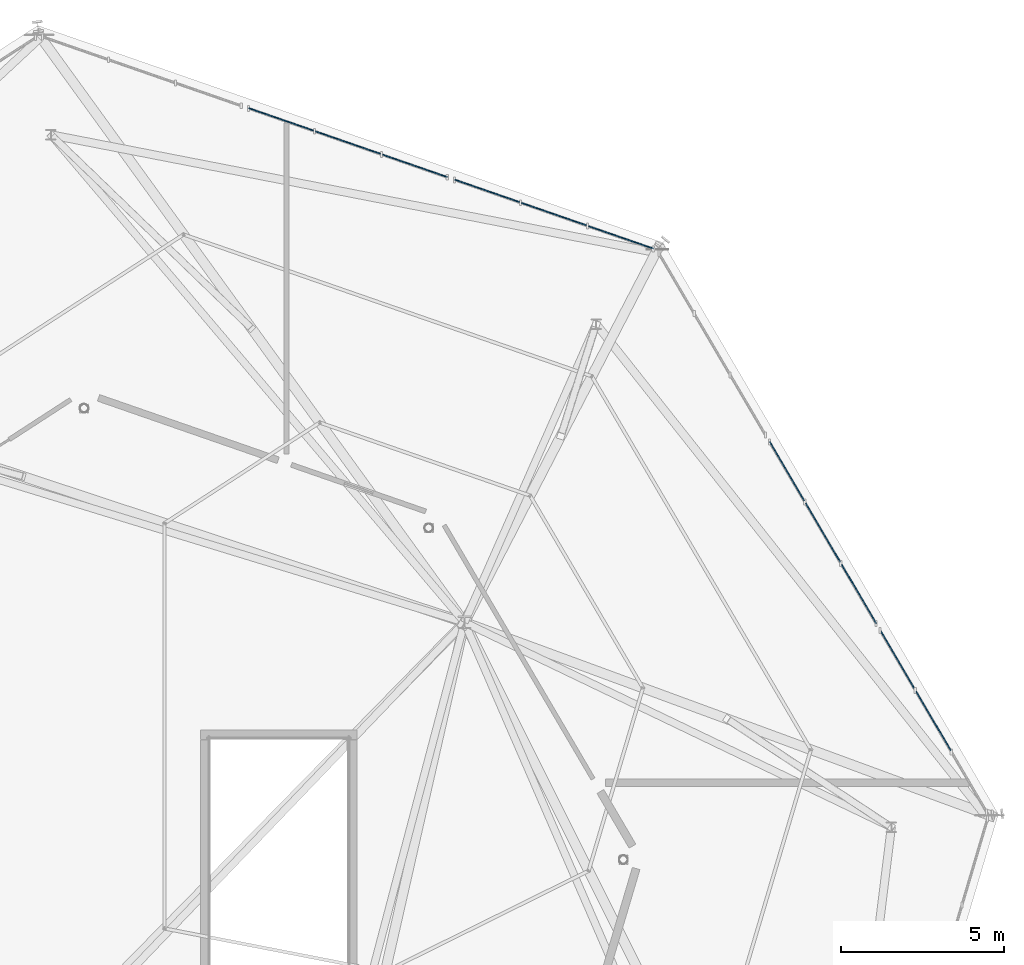
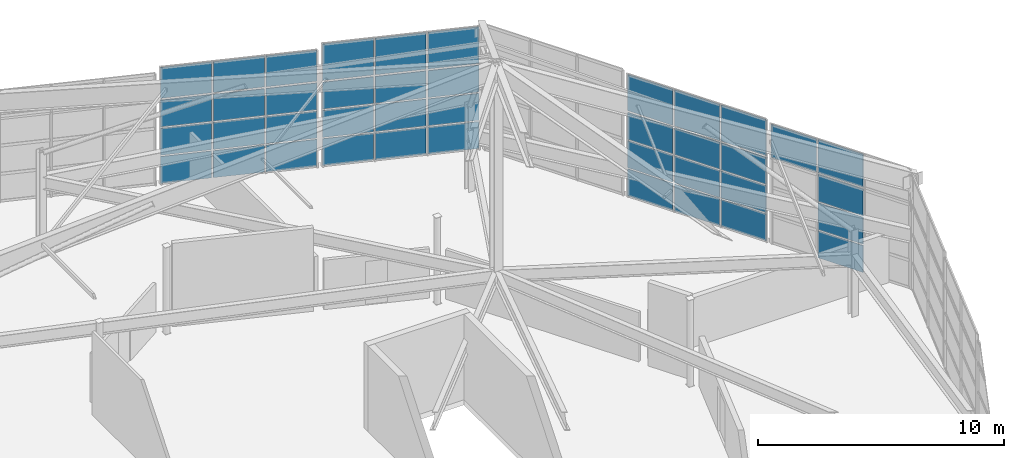
# One storey, part 28 of 50: 41 plates, 8 elements without a shape of their own.
"""IFC4 building model written with IfcOpenShell, lengths in metres."""

from ifc_helpers import new_model, si_unit, direction, frame, origin, origin_2d, place, context, subcontext, project, spatial, rectangle, extrude, material, layer, layer_set, type_object, element, aggregate, save


model = new_model("IFC4")

# Units and contexts
model_context = context("Model", 3, precision=1e-05, world=origin(), true_north=direction((0.0, 1.0)))
body_context = subcontext(model_context, "Body", "Model", "MODEL_VIEW")
ifc_project = project(units=[si_unit("LENGTHUNIT", "METRE"), si_unit("AREAUNIT", "SQUARE_METRE"), si_unit("VOLUMEUNIT", "CUBIC_METRE"), si_unit("PLANEANGLEUNIT", "RADIAN"), si_unit("MASSUNIT", "GRAM", prefix="KILO")], contexts=[model_context])

# Site, building, storey
site_placement = place(None, origin())
site = spatial("IfcSite", under=ifc_project, at=site_placement, CompositionType="ELEMENT")
building_placement = place(site_placement, origin())
building = spatial("IfcBuilding", under=site, at=building_placement, Name="Sarnbrook Museum", CompositionType="ELEMENT")
storey_placement = place(building_placement, frame((0.0, 0.0, 28.10009765625)))
storey = spatial("IfcBuildingStorey", under=building, at=storey_placement, Name="L05", CompositionType="ELEMENT", Elevation=28.10009765625)

# Curtain wall, plates
ifc_material_1 = material(Name="Thermally Broken Anodised Aluminium 6063-T6", Category="aluminium")
curtain_wall_type_1 = type_object("IfcCurtainWallType", Name="CurtainWall_CrystalFacet", PredefinedType="NOTDEFINED", material=ifc_material_1)
curtain_wall_1_placement = place(storey_placement, origin())
curtain_wall_1 = element("IfcCurtainWall", 1, at=curtain_wall_1_placement, inside=storey, type_object=curtain_wall_type_1, Name="Crystal Hall Facet Curtain Wall L05-F4.1", PredefinedType="NOTDEFINED")
ifc_material_2 = material(Name="Double-Glazed Low-Iron Laminated Safety Glass", Category="glass")
ifc_layer = layer(ifc_material_2, 0.031982421875)
ifc_layer_set = layer_set([ifc_layer], Name="Double-Glazed Low-Iron Laminated Safety Glass")
plate_type = type_object("IfcPlateType", Name="CW_GlazedPanel_32", PredefinedType="CURTAIN_PANEL", material=ifc_layer_set)
plate_1_placement = place(storey_placement, frame((163.88818359375, 90.462158203125, 0.699951171875), z_axis=(0.86250023703, 0.506056658017, 0.0), x_axis=(-0.506056658017, 0.86250023703, 0.0)))
plate_1 = element("IfcPlate", 2, at=plate_1_placement, type_object=plate_type, Name="Crystal Hall Facet Curtain Wall L05-F4.1 Glazed Panel 2-1", PredefinedType="CURTAIN_PANEL", context=body_context, shape_type="SweptSolid", body=[
    extrude(rectangle(XDim=2.107666015625, YDim=1.330078125, at=origin_2d()), origin(), (0.0, 0.0, 1.0), 0.031982421875),
])
plate_2_placement = place(storey_placement, frame((163.88818359375, 90.462158203125, 2.099853515625), z_axis=(0.86250023703, 0.506056658017, 0.0), x_axis=(-0.506056658017, 0.86250023703, 0.0)))
plate_2 = element("IfcPlate", 3, at=plate_2_placement, type_object=plate_type, Name="Crystal Hall Facet Curtain Wall L05-F4.1 Glazed Panel 2-2", PredefinedType="CURTAIN_PANEL", context=body_context, shape_type="SweptSolid", body=[
    extrude(rectangle(XDim=2.107666015625, YDim=1.330078125, at=origin_2d()), origin(), (0.0, 0.0, 1.0), 0.031982421875),
])
plate_3_placement = place(storey_placement, frame((163.88818359375, 90.462158203125, 3.5), z_axis=(0.86250023703, 0.506056658017, 0.0), x_axis=(-0.506056658017, 0.86250023703, 0.0)))
plate_3 = element("IfcPlate", 4, at=plate_3_placement, type_object=plate_type, Name="Crystal Hall Facet Curtain Wall L05-F4.1 Glazed Panel 2-3", PredefinedType="CURTAIN_PANEL", context=body_context, shape_type="SweptSolid", body=[
    extrude(rectangle(XDim=2.107666015625, YDim=1.330078125, at=origin_2d()), origin(), (0.0, 0.0, 1.0), 0.031982421875),
])
aggregate(curtain_wall_1, [plate_1, plate_2, plate_3])

curtain_wall_type_2 = type_object("IfcCurtainWallType", Name="CurtainWall_Sawtooth", PredefinedType="NOTDEFINED", material=ifc_material_1)
curtain_wall_2_placement = place(storey_placement, origin())
curtain_wall_2 = element("IfcCurtainWall", 5, at=curtain_wall_2_placement, inside=storey, type_object=curtain_wall_type_2, Name="Crystal Roof Folded Eaves Clerestory 5", PredefinedType="NOTDEFINED")
plate_4_placement = place(storey_placement, frame((163.88818359375, 90.462158203125, 5.074951171875), z_axis=(0.86250023703, 0.506056658017, 0.0), x_axis=(-0.506056658017, 0.86250023703, 0.0)))
plate_4 = element("IfcPlate", 6, at=plate_4_placement, type_object=plate_type, Name="Crystal Roof Folded Eaves Clerestory 5 Glazed Panel 2-1", PredefinedType="CURTAIN_PANEL", context=body_context, shape_type="SweptSolid", body=[
    extrude(rectangle(XDim=2.107666015625, YDim=1.639892578125, at=origin_2d()), origin(), (0.0, 0.0, 1.0), 0.031982421875),
])
plate_5_placement = place(storey_placement, frame((162.78369140625, 92.344482421875, 5.074951171875), z_axis=(0.86250023703, 0.506056658017, 0.0), x_axis=(-0.506056658017, 0.86250023703, 0.0)))
plate_5 = element("IfcPlate", 7, at=plate_5_placement, type_object=plate_type, Name="Crystal Roof Folded Eaves Clerestory 5 Glazed Panel 3-1", PredefinedType="CURTAIN_PANEL", context=body_context, shape_type="SweptSolid", body=[
    extrude(rectangle(XDim=2.107666015625, YDim=1.639892578125, at=origin_2d()), origin(), (0.0, 0.0, 1.0), 0.031982421875),
])
aggregate(curtain_wall_2, [plate_4, plate_5])

curtain_wall_3_placement = place(storey_placement, origin())
curtain_wall_3 = element("IfcCurtainWall", 8, at=curtain_wall_3_placement, inside=storey, type_object=curtain_wall_type_1, Name="Crystal Hall Facet Curtain Wall L05-F4.2", PredefinedType="NOTDEFINED")
plate_6_placement = place(storey_placement, frame((161.59814453125, 94.364990234375, 0.699951171875), z_axis=(0.86250023703, 0.506056658017, 0.0), x_axis=(-0.506056658017, 0.86250023703, 0.0)))
plate_6 = element("IfcPlate", 9, at=plate_6_placement, type_object=plate_type, Name="Crystal Hall Facet Curtain Wall L05-F4.2 Glazed Panel 1-1", PredefinedType="CURTAIN_PANEL", context=body_context, shape_type="SweptSolid", body=[
    extrude(rectangle(XDim=2.107666015625, YDim=1.330078125, at=origin_2d()), origin(), (0.0, 0.0, 1.0), 0.031982421875),
])
plate_7_placement = place(storey_placement, frame((161.59814453125, 94.364990234375, 2.099853515625), z_axis=(0.86250023703, 0.506056658017, 0.0), x_axis=(-0.506056658017, 0.86250023703, 0.0)))
plate_7 = element("IfcPlate", 10, at=plate_7_placement, type_object=plate_type, Name="Crystal Hall Facet Curtain Wall L05-F4.2 Glazed Panel 1-2", PredefinedType="CURTAIN_PANEL", context=body_context, shape_type="SweptSolid", body=[
    extrude(rectangle(XDim=2.107666015625, YDim=1.330078125, at=origin_2d()), origin(), (0.0, 0.0, 1.0), 0.031982421875),
])
plate_8_placement = place(storey_placement, frame((161.59814453125, 94.364990234375, 3.5), z_axis=(0.86250023703, 0.506056658017, 0.0), x_axis=(-0.506056658017, 0.86250023703, 0.0)))
plate_8 = element("IfcPlate", 11, at=plate_8_placement, type_object=plate_type, Name="Crystal Hall Facet Curtain Wall L05-F4.2 Glazed Panel 1-3", PredefinedType="CURTAIN_PANEL", context=body_context, shape_type="SweptSolid", body=[
    extrude(rectangle(XDim=2.107666015625, YDim=1.330078125, at=origin_2d()), origin(), (0.0, 0.0, 1.0), 0.031982421875),
])
plate_9_placement = place(storey_placement, frame((160.49365234375, 96.24755859375, 0.699951171875), z_axis=(0.86250023703, 0.506056658017, 0.0), x_axis=(-0.506056658017, 0.86250023703, 0.0)))
plate_9 = element("IfcPlate", 12, at=plate_9_placement, type_object=plate_type, Name="Crystal Hall Facet Curtain Wall L05-F4.2 Glazed Panel 2-1", PredefinedType="CURTAIN_PANEL", context=body_context, shape_type="SweptSolid", body=[
    extrude(rectangle(XDim=2.107666015625, YDim=1.330078125, at=origin_2d()), origin(), (0.0, 0.0, 1.0), 0.031982421875),
])
plate_10_placement = place(storey_placement, frame((160.49365234375, 96.24755859375, 2.099853515625), z_axis=(0.86250023703, 0.506056658017, 0.0), x_axis=(-0.506056658017, 0.86250023703, 0.0)))
plate_10 = element("IfcPlate", 13, at=plate_10_placement, type_object=plate_type, Name="Crystal Hall Facet Curtain Wall L05-F4.2 Glazed Panel 2-2", PredefinedType="CURTAIN_PANEL", context=body_context, shape_type="SweptSolid", body=[
    extrude(rectangle(XDim=2.107666015625, YDim=1.330078125, at=origin_2d()), origin(), (0.0, 0.0, 1.0), 0.031982421875),
])
plate_11_placement = place(storey_placement, frame((160.49365234375, 96.24755859375, 3.5), z_axis=(0.86250023703, 0.506056658017, 0.0), x_axis=(-0.506056658017, 0.86250023703, 0.0)))
plate_11 = element("IfcPlate", 14, at=plate_11_placement, type_object=plate_type, Name="Crystal Hall Facet Curtain Wall L05-F4.2 Glazed Panel 2-3", PredefinedType="CURTAIN_PANEL", context=body_context, shape_type="SweptSolid", body=[
    extrude(rectangle(XDim=2.107666015625, YDim=1.330078125, at=origin_2d()), origin(), (0.0, 0.0, 1.0), 0.031982421875),
])
plate_12_placement = place(storey_placement, frame((159.38916015625, 98.130126953125, 0.699951171875), z_axis=(0.86250023703, 0.506056658017, 0.0), x_axis=(-0.506056658017, 0.86250023703, 0.0)))
plate_12 = element("IfcPlate", 15, at=plate_12_placement, type_object=plate_type, Name="Crystal Hall Facet Curtain Wall L05-F4.2 Glazed Panel 3-1", PredefinedType="CURTAIN_PANEL", context=body_context, shape_type="SweptSolid", body=[
    extrude(rectangle(XDim=2.107666015625, YDim=1.330078125, at=origin_2d()), origin(), (0.0, 0.0, 1.0), 0.031982421875),
])
plate_13_placement = place(storey_placement, frame((159.38916015625, 98.130126953125, 2.099853515625), z_axis=(0.86250023703, 0.506056658017, 0.0), x_axis=(-0.506056658017, 0.86250023703, 0.0)))
plate_13 = element("IfcPlate", 16, at=plate_13_placement, type_object=plate_type, Name="Crystal Hall Facet Curtain Wall L05-F4.2 Glazed Panel 3-2", PredefinedType="CURTAIN_PANEL", context=body_context, shape_type="SweptSolid", body=[
    extrude(rectangle(XDim=2.107666015625, YDim=1.330078125, at=origin_2d()), origin(), (0.0, 0.0, 1.0), 0.031982421875),
])
plate_14_placement = place(storey_placement, frame((159.38916015625, 98.130126953125, 3.5), z_axis=(0.86250023703, 0.506056658017, 0.0), x_axis=(-0.506056658017, 0.86250023703, 0.0)))
plate_14 = element("IfcPlate", 17, at=plate_14_placement, type_object=plate_type, Name="Crystal Hall Facet Curtain Wall L05-F4.2 Glazed Panel 3-3", PredefinedType="CURTAIN_PANEL", context=body_context, shape_type="SweptSolid", body=[
    extrude(rectangle(XDim=2.107666015625, YDim=1.330078125, at=origin_2d()), origin(), (0.0, 0.0, 1.0), 0.031982421875),
])
aggregate(curtain_wall_3, [plate_6, plate_7, plate_8, plate_9, plate_10, plate_11, plate_12, plate_13, plate_14])

curtain_wall_4_placement = place(storey_placement, origin())
curtain_wall_4 = element("IfcCurtainWall", 18, at=curtain_wall_4_placement, inside=storey, type_object=curtain_wall_type_2, Name="Crystal Roof Folded Eaves Clerestory 6", PredefinedType="NOTDEFINED")
plate_15_placement = place(storey_placement, frame((161.59814453125, 94.364990234375, 5.14990234375), z_axis=(0.86250023703, 0.506056658017, 0.0), x_axis=(-0.506056658017, 0.86250023703, 0.0)))
plate_15 = element("IfcPlate", 19, at=plate_15_placement, type_object=plate_type, Name="Crystal Roof Folded Eaves Clerestory 6 Glazed Panel 1-1", PredefinedType="CURTAIN_PANEL", context=body_context, shape_type="SweptSolid", body=[
    extrude(rectangle(XDim=2.107666015625, YDim=1.7900390625, at=origin_2d()), origin(), (0.0, 0.0, 1.0), 0.031982421875),
])
plate_16_placement = place(storey_placement, frame((160.49365234375, 96.24755859375, 5.14990234375), z_axis=(0.86250023703, 0.506056658017, 0.0), x_axis=(-0.506056658017, 0.86250023703, 0.0)))
plate_16 = element("IfcPlate", 20, at=plate_16_placement, type_object=plate_type, Name="Crystal Roof Folded Eaves Clerestory 6 Glazed Panel 2-1", PredefinedType="CURTAIN_PANEL", context=body_context, shape_type="SweptSolid", body=[
    extrude(rectangle(XDim=2.107666015625, YDim=1.7900390625, at=origin_2d()), origin(), (0.0, 0.0, 1.0), 0.031982421875),
])
plate_17_placement = place(storey_placement, frame((159.38916015625, 98.130126953125, 5.14990234375), z_axis=(0.86250023703, 0.506056658017, 0.0), x_axis=(-0.506056658017, 0.86250023703, 0.0)))
plate_17 = element("IfcPlate", 21, at=plate_17_placement, type_object=plate_type, Name="Crystal Roof Folded Eaves Clerestory 6 Glazed Panel 3-1", PredefinedType="CURTAIN_PANEL", context=body_context, shape_type="SweptSolid", body=[
    extrude(rectangle(XDim=2.107666015625, YDim=1.7900390625, at=origin_2d()), origin(), (0.0, 0.0, 1.0), 0.031982421875),
])
aggregate(curtain_wall_4, [plate_15, plate_16, plate_17])

curtain_wall_5_placement = place(storey_placement, origin())
curtain_wall_5 = element("IfcCurtainWall", 22, at=curtain_wall_5_placement, inside=storey, type_object=curtain_wall_type_1, Name="Crystal Hall Facet Curtain Wall L05-F5.1", PredefinedType="NOTDEFINED")
plate_18_placement = place(storey_placement, frame((154.3017578125, 105.3056640625, 0.699951171875), z_axis=(0.328014650922, 0.944672635774, 0.0), x_axis=(-0.944672635774, 0.328014650922, 0.0)))
plate_18 = element("IfcPlate", 23, at=plate_18_placement, type_object=plate_type, Name="Crystal Hall Facet Curtain Wall L05-F5.1 Glazed Panel 1-1", PredefinedType="CURTAIN_PANEL", context=body_context, shape_type="SweptSolid", body=[
    extrude(rectangle(XDim=2.103515625, YDim=1.330078125, at=origin_2d()), origin(), (0.0, 0.0, 1.0), 0.031982421875),
])
plate_19_placement = place(storey_placement, frame((154.3017578125, 105.3056640625, 2.099853515625), z_axis=(0.328014650922, 0.944672635774, 0.0), x_axis=(-0.944672635774, 0.328014650922, 0.0)))
plate_19 = element("IfcPlate", 24, at=plate_19_placement, type_object=plate_type, Name="Crystal Hall Facet Curtain Wall L05-F5.1 Glazed Panel 1-2", PredefinedType="CURTAIN_PANEL", context=body_context, shape_type="SweptSolid", body=[
    extrude(rectangle(XDim=2.103515625, YDim=1.330078125, at=origin_2d()), origin(), (0.0, 0.0, 1.0), 0.031982421875),
])
plate_20_placement = place(storey_placement, frame((154.3017578125, 105.3056640625, 3.5), z_axis=(0.328014650922, 0.944672635774, 0.0), x_axis=(-0.944672635774, 0.328014650922, 0.0)))
plate_20 = element("IfcPlate", 25, at=plate_20_placement, type_object=plate_type, Name="Crystal Hall Facet Curtain Wall L05-F5.1 Glazed Panel 1-3", PredefinedType="CURTAIN_PANEL", context=body_context, shape_type="SweptSolid", body=[
    extrude(rectangle(XDim=2.103515625, YDim=1.330078125, at=origin_2d()), origin(), (0.0, 0.0, 1.0), 0.031982421875),
])
plate_21_placement = place(storey_placement, frame((152.24365234375, 106.020263671875, 0.699951171875), z_axis=(0.328014650922, 0.944672635774, 0.0), x_axis=(-0.944672635774, 0.328014650922, 0.0)))
plate_21 = element("IfcPlate", 26, at=plate_21_placement, type_object=plate_type, Name="Crystal Hall Facet Curtain Wall L05-F5.1 Glazed Panel 2-1", PredefinedType="CURTAIN_PANEL", context=body_context, shape_type="SweptSolid", body=[
    extrude(rectangle(XDim=2.103515625, YDim=1.330078125, at=origin_2d()), origin(), (0.0, 0.0, 1.0), 0.031982421875),
])
plate_22_placement = place(storey_placement, frame((152.24365234375, 106.020263671875, 2.099853515625), z_axis=(0.328014650922, 0.944672635774, 0.0), x_axis=(-0.944672635774, 0.328014650922, 0.0)))
plate_22 = element("IfcPlate", 27, at=plate_22_placement, type_object=plate_type, Name="Crystal Hall Facet Curtain Wall L05-F5.1 Glazed Panel 2-2", PredefinedType="CURTAIN_PANEL", context=body_context, shape_type="SweptSolid", body=[
    extrude(rectangle(XDim=2.103515625, YDim=1.330078125, at=origin_2d()), origin(), (0.0, 0.0, 1.0), 0.031982421875),
])
plate_23_placement = place(storey_placement, frame((152.24365234375, 106.020263671875, 3.5), z_axis=(0.328014650922, 0.944672635774, 0.0), x_axis=(-0.944672635774, 0.328014650922, 0.0)))
plate_23 = element("IfcPlate", 28, at=plate_23_placement, type_object=plate_type, Name="Crystal Hall Facet Curtain Wall L05-F5.1 Glazed Panel 2-3", PredefinedType="CURTAIN_PANEL", context=body_context, shape_type="SweptSolid", body=[
    extrude(rectangle(XDim=2.103515625, YDim=1.330078125, at=origin_2d()), origin(), (0.0, 0.0, 1.0), 0.031982421875),
])
plate_24_placement = place(storey_placement, frame((150.185791015625, 106.73486328125, 0.699951171875), z_axis=(0.328014650922, 0.944672635774, 0.0), x_axis=(-0.944672635774, 0.328014650922, 0.0)))
plate_24 = element("IfcPlate", 29, at=plate_24_placement, type_object=plate_type, Name="Crystal Hall Facet Curtain Wall L05-F5.1 Glazed Panel 3-1", PredefinedType="CURTAIN_PANEL", context=body_context, shape_type="SweptSolid", body=[
    extrude(rectangle(XDim=2.103515625, YDim=1.330078125, at=origin_2d()), origin(), (0.0, 0.0, 1.0), 0.031982421875),
])
plate_25_placement = place(storey_placement, frame((150.185791015625, 106.73486328125, 2.099853515625), z_axis=(0.328014650922, 0.944672635774, 0.0), x_axis=(-0.944672635774, 0.328014650922, 0.0)))
plate_25 = element("IfcPlate", 30, at=plate_25_placement, type_object=plate_type, Name="Crystal Hall Facet Curtain Wall L05-F5.1 Glazed Panel 3-2", PredefinedType="CURTAIN_PANEL", context=body_context, shape_type="SweptSolid", body=[
    extrude(rectangle(XDim=2.103515625, YDim=1.330078125, at=origin_2d()), origin(), (0.0, 0.0, 1.0), 0.031982421875),
])
plate_26_placement = place(storey_placement, frame((150.185791015625, 106.73486328125, 3.5), z_axis=(0.328014650922, 0.944672635774, 0.0), x_axis=(-0.944672635774, 0.328014650922, 0.0)))
plate_26 = element("IfcPlate", 31, at=plate_26_placement, type_object=plate_type, Name="Crystal Hall Facet Curtain Wall L05-F5.1 Glazed Panel 3-3", PredefinedType="CURTAIN_PANEL", context=body_context, shape_type="SweptSolid", body=[
    extrude(rectangle(XDim=2.103515625, YDim=1.330078125, at=origin_2d()), origin(), (0.0, 0.0, 1.0), 0.031982421875),
])
aggregate(curtain_wall_5, [plate_18, plate_19, plate_20, plate_21, plate_22, plate_23, plate_24, plate_25, plate_26])

curtain_wall_6_placement = place(storey_placement, origin())
curtain_wall_6 = element("IfcCurtainWall", 32, at=curtain_wall_6_placement, inside=storey, type_object=curtain_wall_type_2, Name="Crystal Roof Folded Eaves Clerestory 8", PredefinedType="NOTDEFINED")
plate_27_placement = place(storey_placement, frame((154.3017578125, 105.3056640625, 5.158447265625), z_axis=(0.328014650922, 0.944672635774, 0.0), x_axis=(-0.944672635774, 0.328014650922, 0.0)))
plate_27 = element("IfcPlate", 33, at=plate_27_placement, type_object=plate_type, Name="Crystal Roof Folded Eaves Clerestory 8 Glazed Panel 1-1", PredefinedType="CURTAIN_PANEL", context=body_context, shape_type="SweptSolid", body=[
    extrude(rectangle(XDim=2.103515625, YDim=1.806884765625, at=origin_2d()), origin(), (0.0, 0.0, 1.0), 0.031982421875),
])
plate_28_placement = place(storey_placement, frame((152.24365234375, 106.020263671875, 5.158447265625), z_axis=(0.328014650922, 0.944672635774, 0.0), x_axis=(-0.944672635774, 0.328014650922, 0.0)))
plate_28 = element("IfcPlate", 34, at=plate_28_placement, type_object=plate_type, Name="Crystal Roof Folded Eaves Clerestory 8 Glazed Panel 2-1", PredefinedType="CURTAIN_PANEL", context=body_context, shape_type="SweptSolid", body=[
    extrude(rectangle(XDim=2.103515625, YDim=1.806884765625, at=origin_2d()), origin(), (0.0, 0.0, 1.0), 0.031982421875),
])
plate_29_placement = place(storey_placement, frame((150.185791015625, 106.73486328125, 5.158447265625), z_axis=(0.328014650922, 0.944672635774, 0.0), x_axis=(-0.944672635774, 0.328014650922, 0.0)))
plate_29 = element("IfcPlate", 35, at=plate_29_placement, type_object=plate_type, Name="Crystal Roof Folded Eaves Clerestory 8 Glazed Panel 3-1", PredefinedType="CURTAIN_PANEL", context=body_context, shape_type="SweptSolid", body=[
    extrude(rectangle(XDim=2.103515625, YDim=1.806884765625, at=origin_2d()), origin(), (0.0, 0.0, 1.0), 0.031982421875),
])
aggregate(curtain_wall_6, [plate_27, plate_28, plate_29])

curtain_wall_7_placement = place(storey_placement, origin())
curtain_wall_7 = element("IfcCurtainWall", 36, at=curtain_wall_7_placement, inside=storey, type_object=curtain_wall_type_1, Name="Crystal Hall Facet Curtain Wall L05-F5.2", PredefinedType="NOTDEFINED")
plate_30_placement = place(storey_placement, frame((147.976806640625, 107.501708984375, 0.699951171875), z_axis=(0.328014650922, 0.944672635774, 0.0), x_axis=(-0.944672635774, 0.328014650922, 0.0)))
plate_30 = element("IfcPlate", 37, at=plate_30_placement, type_object=plate_type, Name="Crystal Hall Facet Curtain Wall L05-F5.2 Glazed Panel 1-1", PredefinedType="CURTAIN_PANEL", context=body_context, shape_type="SweptSolid", body=[
    extrude(rectangle(XDim=2.103515625, YDim=1.330078125, at=origin_2d()), origin(), (0.0, 0.0, 1.0), 0.031982421875),
])
plate_31_placement = place(storey_placement, frame((147.976806640625, 107.501708984375, 2.099853515625), z_axis=(0.328014650922, 0.944672635774, 0.0), x_axis=(-0.944672635774, 0.328014650922, 0.0)))
plate_31 = element("IfcPlate", 38, at=plate_31_placement, type_object=plate_type, Name="Crystal Hall Facet Curtain Wall L05-F5.2 Glazed Panel 1-2", PredefinedType="CURTAIN_PANEL", context=body_context, shape_type="SweptSolid", body=[
    extrude(rectangle(XDim=2.103515625, YDim=1.330078125, at=origin_2d()), origin(), (0.0, 0.0, 1.0), 0.031982421875),
])
plate_32_placement = place(storey_placement, frame((147.976806640625, 107.501708984375, 3.5), z_axis=(0.328014650922, 0.944672635774, 0.0), x_axis=(-0.944672635774, 0.328014650922, 0.0)))
plate_32 = element("IfcPlate", 39, at=plate_32_placement, type_object=plate_type, Name="Crystal Hall Facet Curtain Wall L05-F5.2 Glazed Panel 1-3", PredefinedType="CURTAIN_PANEL", context=body_context, shape_type="SweptSolid", body=[
    extrude(rectangle(XDim=2.103515625, YDim=1.330078125, at=origin_2d()), origin(), (0.0, 0.0, 1.0), 0.031982421875),
])
plate_33_placement = place(storey_placement, frame((145.9189453125, 108.21630859375, 0.699951171875), z_axis=(0.328014650922, 0.944672635774, 0.0), x_axis=(-0.944672635774, 0.328014650922, 0.0)))
plate_33 = element("IfcPlate", 40, at=plate_33_placement, type_object=plate_type, Name="Crystal Hall Facet Curtain Wall L05-F5.2 Glazed Panel 2-1", PredefinedType="CURTAIN_PANEL", context=body_context, shape_type="SweptSolid", body=[
    extrude(rectangle(XDim=2.103515625, YDim=1.330078125, at=origin_2d()), origin(), (0.0, 0.0, 1.0), 0.031982421875),
])
plate_34_placement = place(storey_placement, frame((145.9189453125, 108.21630859375, 2.099853515625), z_axis=(0.328014650922, 0.944672635774, 0.0), x_axis=(-0.944672635774, 0.328014650922, 0.0)))
plate_34 = element("IfcPlate", 41, at=plate_34_placement, type_object=plate_type, Name="Crystal Hall Facet Curtain Wall L05-F5.2 Glazed Panel 2-2", PredefinedType="CURTAIN_PANEL", context=body_context, shape_type="SweptSolid", body=[
    extrude(rectangle(XDim=2.103515625, YDim=1.330078125, at=origin_2d()), origin(), (0.0, 0.0, 1.0), 0.031982421875),
])
plate_35_placement = place(storey_placement, frame((145.9189453125, 108.21630859375, 3.5), z_axis=(0.328014650922, 0.944672635774, 0.0), x_axis=(-0.944672635774, 0.328014650922, 0.0)))
plate_35 = element("IfcPlate", 42, at=plate_35_placement, type_object=plate_type, Name="Crystal Hall Facet Curtain Wall L05-F5.2 Glazed Panel 2-3", PredefinedType="CURTAIN_PANEL", context=body_context, shape_type="SweptSolid", body=[
    extrude(rectangle(XDim=2.103515625, YDim=1.330078125, at=origin_2d()), origin(), (0.0, 0.0, 1.0), 0.031982421875),
])
plate_36_placement = place(storey_placement, frame((143.861083984375, 108.930908203125, 0.699951171875), z_axis=(0.328014650922, 0.944672635774, 0.0), x_axis=(-0.944672635774, 0.328014650922, 0.0)))
plate_36 = element("IfcPlate", 43, at=plate_36_placement, type_object=plate_type, Name="Crystal Hall Facet Curtain Wall L05-F5.2 Glazed Panel 3-1", PredefinedType="CURTAIN_PANEL", context=body_context, shape_type="SweptSolid", body=[
    extrude(rectangle(XDim=2.103515625, YDim=1.330078125, at=origin_2d()), origin(), (0.0, 0.0, 1.0), 0.031982421875),
])
plate_37_placement = place(storey_placement, frame((143.861083984375, 108.930908203125, 2.099853515625), z_axis=(0.328014650922, 0.944672635774, 0.0), x_axis=(-0.944672635774, 0.328014650922, 0.0)))
plate_37 = element("IfcPlate", 44, at=plate_37_placement, type_object=plate_type, Name="Crystal Hall Facet Curtain Wall L05-F5.2 Glazed Panel 3-2", PredefinedType="CURTAIN_PANEL", context=body_context, shape_type="SweptSolid", body=[
    extrude(rectangle(XDim=2.103515625, YDim=1.330078125, at=origin_2d()), origin(), (0.0, 0.0, 1.0), 0.031982421875),
])
plate_38_placement = place(storey_placement, frame((143.861083984375, 108.930908203125, 3.5), z_axis=(0.328014650922, 0.944672635774, 0.0), x_axis=(-0.944672635774, 0.328014650922, 0.0)))
plate_38 = element("IfcPlate", 45, at=plate_38_placement, type_object=plate_type, Name="Crystal Hall Facet Curtain Wall L05-F5.2 Glazed Panel 3-3", PredefinedType="CURTAIN_PANEL", context=body_context, shape_type="SweptSolid", body=[
    extrude(rectangle(XDim=2.103515625, YDim=1.330078125, at=origin_2d()), origin(), (0.0, 0.0, 1.0), 0.031982421875),
])
aggregate(curtain_wall_7, [plate_30, plate_31, plate_32, plate_33, plate_34, plate_35, plate_36, plate_37, plate_38])

curtain_wall_8_placement = place(storey_placement, origin())
curtain_wall_8 = element("IfcCurtainWall", 46, at=curtain_wall_8_placement, inside=storey, type_object=curtain_wall_type_2, Name="Crystal Roof Folded Eaves Clerestory 9", PredefinedType="NOTDEFINED")
plate_39_placement = place(storey_placement, frame((147.976806640625, 107.501708984375, 5.016357421875), z_axis=(0.328014650922, 0.944672635774, 0.0), x_axis=(-0.944672635774, 0.328014650922, 0.0)))
plate_39 = element("IfcPlate", 47, at=plate_39_placement, type_object=plate_type, Name="Crystal Roof Folded Eaves Clerestory 9 Glazed Panel 1-1", PredefinedType="CURTAIN_PANEL", context=body_context, shape_type="SweptSolid", body=[
    extrude(rectangle(XDim=2.103515625, YDim=1.52294921875, at=origin_2d()), origin(), (0.0, 0.0, 1.0), 0.031982421875),
])
plate_40_placement = place(storey_placement, frame((145.9189453125, 108.21630859375, 5.016357421875), z_axis=(0.328014650922, 0.944672635774, 0.0), x_axis=(-0.944672635774, 0.328014650922, 0.0)))
plate_40 = element("IfcPlate", 48, at=plate_40_placement, type_object=plate_type, Name="Crystal Roof Folded Eaves Clerestory 9 Glazed Panel 2-1", PredefinedType="CURTAIN_PANEL", context=body_context, shape_type="SweptSolid", body=[
    extrude(rectangle(XDim=2.103515625, YDim=1.52294921875, at=origin_2d()), origin(), (0.0, 0.0, 1.0), 0.031982421875),
])
plate_41_placement = place(storey_placement, frame((143.861083984375, 108.930908203125, 5.016357421875), z_axis=(0.328014650922, 0.944672635774, 0.0), x_axis=(-0.944672635774, 0.328014650922, 0.0)))
plate_41 = element("IfcPlate", 49, at=plate_41_placement, type_object=plate_type, Name="Crystal Roof Folded Eaves Clerestory 9 Glazed Panel 3-1", PredefinedType="CURTAIN_PANEL", context=body_context, shape_type="SweptSolid", body=[
    extrude(rectangle(XDim=2.103515625, YDim=1.52294921875, at=origin_2d()), origin(), (0.0, 0.0, 1.0), 0.031982421875),
])
aggregate(curtain_wall_8, [plate_39, plate_40, plate_41])

save(model, "model.ifc")
